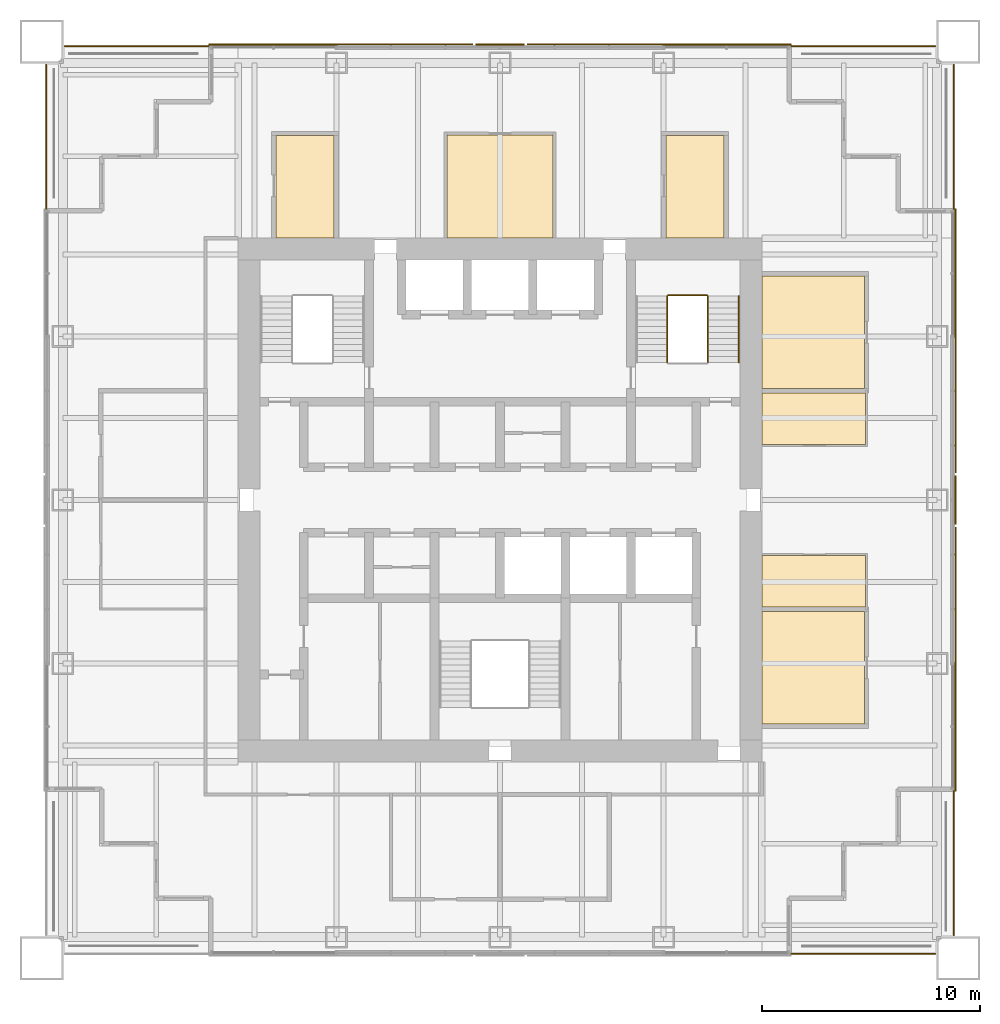
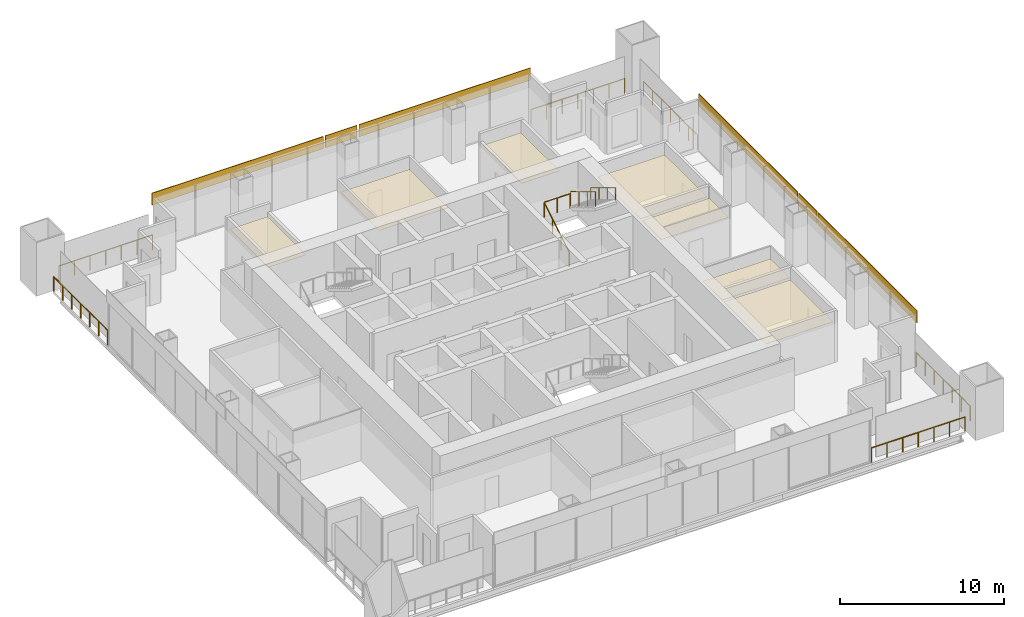
# One storey, part 14 of 14: 13 coverings, 10 railings.
"""IFC4 building model written with IfcOpenShell, lengths in metres."""

from ifc_helpers import new_model, si_unit, direction, frame, origin, origin_2d, place, context, subcontext, project, spatial, polyline, rectangle, circle, outline, extrude, material, layer, layer_set, type_object, element, save


model = new_model("IFC4")

# Units and contexts
model_context = context("Model", 3, precision=1e-05, world=origin(), true_north=direction((0.0, 1.0)))
body_context = subcontext(model_context, "Body", "Model", "MODEL_VIEW")
ifc_project = project(units=[si_unit("LENGTHUNIT", "METRE"), si_unit("AREAUNIT", "SQUARE_METRE"), si_unit("VOLUMEUNIT", "CUBIC_METRE"), si_unit("PLANEANGLEUNIT", "RADIAN"), si_unit("MASSUNIT", "GRAM", prefix="KILO")], contexts=[model_context])

# Site, building, storey
site_placement = place(None, origin())
site = spatial("IfcSite", under=ifc_project, at=site_placement, CompositionType="ELEMENT")
building_placement = place(site_placement, origin())
building = spatial("IfcBuilding", under=site, at=building_placement, Name="Tarangal Relay Tower", CompositionType="ELEMENT")
storey_placement = place(building_placement, frame((0.0, 0.0, 311.89990234375)))
storey = spatial("IfcBuildingStorey", under=building, at=storey_placement, Name="L69", CompositionType="ELEMENT", Elevation=311.89990234375)

# Coverings
ifc_material_1 = material(Name="Black anodised aluminium cladding", Category="aluminium")
ifc_layer_1 = layer(ifc_material_1, 0.050048828125)
ifc_layer_set_1 = layer_set([ifc_layer_1], Name="Black metal spandrel band")
covering_type_1 = type_object("IfcCoveringType", Name="Black metal spandrel band", PredefinedType="CLADDING", material=ifc_layer_set_1)
covering_1_placement = place(storey_placement, frame((-7.30419921875, 20.875, 3.250244140625), z_axis=(0.0, 0.0, 1.0), x_axis=(1.0, 0.0, 0.0)))
element("IfcCovering", 1, at=covering_1_placement, inside=storey, type_object=covering_type_1, Name="Spandrel band SB1 N L69", PredefinedType="CLADDING", context=body_context, shape_type="SweptSolid", body=[
    extrude(rectangle(XDim=12.091796875, YDim=0.050048828125, at=origin_2d()), origin(), (0.0, 0.0, 1.0), 0.89990234375),
])
covering_2_placement = place(storey_placement, frame((0.0, 20.875, 3.250244140625), z_axis=(0.0, 0.0, 1.0), x_axis=(1.0, 0.0, 0.0)))
element("IfcCovering", 2, at=covering_2_placement, inside=storey, type_object=covering_type_1, Name="Spandrel band SB1 N L69", PredefinedType="CLADDING", context=body_context, shape_type="SweptSolid", body=[
    extrude(rectangle(XDim=2.236328125, YDim=0.050048828125, at=origin_2d()), origin(), (0.0, 0.0, 1.0), 0.89990234375),
])
for number, where, z_axis, x_axis, name in (
    (3, (7.30419921875, 20.875, 3.250244140625), (0.0, 0.0, 1.0), (1.0, 0.0, 0.0), "Spandrel band SB1 N L69"),
    (4, (20.875, 7.30419921875, 3.250244140625), (0.0, 0.0, 1.0), (0.0, -1.0, 0.0), "Spandrel band SB1 E L69"),
):
    element("IfcCovering", number, at=place(storey_placement, frame(where, z_axis=z_axis, x_axis=x_axis)), inside=storey, type_object=covering_type_1, Name=name, PredefinedType="CLADDING", context=body_context, shape_type="SweptSolid", body=[
        extrude(rectangle(XDim=12.091796875, YDim=0.050048828125, at=origin_2d()), origin(), (0.0, 0.0, 1.0), 0.89990234375),
    ])
covering_3_placement = place(storey_placement, frame((20.875, 0.0, 3.250244140625), z_axis=(0.0, 0.0, 1.0), x_axis=(0.0, -1.0, 0.0)))
element("IfcCovering", 5, at=covering_3_placement, inside=storey, type_object=covering_type_1, Name="Spandrel band SB1 E L69", PredefinedType="CLADDING", context=body_context, shape_type="SweptSolid", body=[
    extrude(rectangle(XDim=2.236328125, YDim=0.050048828125, at=origin_2d()), origin(), (0.0, 0.0, 1.0), 0.89990234375),
])
covering_4_placement = place(storey_placement, frame((20.875, -7.30419921875, 3.250244140625), z_axis=(0.0, 0.0, 1.0), x_axis=(0.0, -1.0, 0.0)))
element("IfcCovering", 6, at=covering_4_placement, inside=storey, type_object=covering_type_1, Name="Spandrel band SB1 E L69", PredefinedType="CLADDING", context=body_context, shape_type="SweptSolid", body=[
    extrude(rectangle(XDim=12.091796875, YDim=0.050048828125, at=origin_2d()), origin(), (0.0, 0.0, 1.0), 0.89990234375),
])

# Railings
ifc_material_2 = material(Name="Steel guard, black finish", Category="steel")
railing_type_1 = type_object("IfcRailingType", Name="Stair guard 1100", PredefinedType="GUARDRAIL", material=ifc_material_2)
railing_1_placement = place(storey_placement, frame((7.669921875, 6.300048828125, 0.166748046875)))
element("IfcRailing", 7, at=railing_1_placement, inside=storey, type_object=railing_type_1, Name="Stair ST-B guard GR1 L69 flight 1", PredefinedType="GUARDRAIL", context=body_context, shape_type="SweptSolid", body=[
    extrude(circle(Radius=0.02392578125, at=origin_2d()), frame((0.0, 0.0, 1.076171875), z_axis=(0.0, 0.85685617095, 0.515555527858), x_axis=(-1.0, 0.0, 0.0)), (0.0, 0.0, 1.0), 3.555908203125),
    extrude(circle(Radius=0.02099609375, at=origin_2d()), origin(), (0.0, 0.0, 1.0), 1.052001953125),
    extrude(circle(Radius=0.02099609375, at=origin_2d()), frame((0.0, 1.015625, 0.611083984375)), (0.0, 0.0, 1.0), 1.052001953125),
    extrude(circle(Radius=0.02099609375, at=origin_2d()), frame((0.0, 2.03125, 1.22216796875)), (0.0, 0.0, 1.0), 1.052001953125),
    extrude(circle(Radius=0.02099609375, at=origin_2d()), frame((0.0, 3.046875, 1.833251953125)), (0.0, 0.0, 1.0), 1.052001953125),
])
railing_2_placement = place(storey_placement, frame((9.530029296875, 9.346923828125, 2.166748046875)))
element("IfcRailing", 8, at=railing_2_placement, inside=storey, type_object=railing_type_1, Name="Stair ST-B guard GR1 L69 flight 2", PredefinedType="GUARDRAIL", context=body_context, shape_type="SweptSolid", body=[
    extrude(circle(Radius=0.02392578125, at=origin_2d()), frame((0.0, 0.0, 1.076171875), z_axis=(0.0, -0.85685617095, 0.515555527858), x_axis=(1.0, 0.0, 0.0)), (0.0, 0.0, 1.0), 3.555908203125),
    extrude(circle(Radius=0.02099609375, at=origin_2d()), origin(), (0.0, 0.0, 1.0), 1.052001953125),
    extrude(circle(Radius=0.02099609375, at=origin_2d()), frame((0.0, -1.015625, 0.611083984375)), (0.0, 0.0, 1.0), 1.052001953125),
    extrude(circle(Radius=0.02099609375, at=origin_2d()), frame((0.0, -2.03125, 1.22216796875)), (0.0, 0.0, 1.0), 1.052001953125),
    extrude(circle(Radius=0.02099609375, at=origin_2d()), frame((0.0, -3.046875, 1.833251953125)), (0.0, 0.0, 1.0), 1.052001953125),
])
railing_3_placement = place(storey_placement, frame((7.699951171875, 9.376953125, 2.0)))
element("IfcRailing", 9, at=railing_3_placement, inside=storey, type_object=railing_type_1, Name="Stair ST-B landing guard GR1 L69", PredefinedType="GUARDRAIL", context=body_context, shape_type="SweptSolid", body=[
    extrude(circle(Radius=0.02392578125, at=origin_2d()), frame((0.0, 0.0, 1.076171875), z_axis=(1.0, 0.0, 0.0), x_axis=(0.0, 1.0, 0.0)), (0.0, 0.0, 1.0), 1.800048828125),
    extrude(circle(Radius=0.02099609375, at=origin_2d()), origin(), (0.0, 0.0, 1.0), 1.052001953125),
    extrude(circle(Radius=0.02099609375, at=origin_2d()), frame((0.89990234375, 0.0, 0.0)), (0.0, 0.0, 1.0), 1.052001953125),
    extrude(circle(Radius=0.02099609375, at=origin_2d()), frame((1.800048828125, 0.0, 0.0)), (0.0, 0.0, 1.0), 1.052001953125),
])
ifc_material_3 = material(Name="Steel handrail, black finish", Category="steel")
railing_type_2 = type_object("IfcRailingType", Name="Stair handrail 900", PredefinedType="HANDRAIL", material=ifc_material_3)
railing_4_placement = place(storey_placement, frame((10.93994140625, 9.346923828125, 2.166748046875)))
element("IfcRailing", 10, at=railing_4_placement, inside=storey, type_object=railing_type_2, Name="Stair ST-B handrail HR1 L69 flight 2", PredefinedType="HANDRAIL", context=body_context, shape_type="SweptSolid", body=[
    extrude(circle(Radius=0.02392578125, at=origin_2d()), frame((0.0, 0.0, 0.8759765625), z_axis=(0.0, -0.85685617095, 0.515555527858), x_axis=(1.0, 0.0, 0.0)), (0.0, 0.0, 1.0), 3.555908203125),
    extrude(circle(Radius=0.02099609375, at=origin_2d()), origin(), (0.0, 0.0, 1.0), 0.851806640625),
    extrude(circle(Radius=0.02099609375, at=origin_2d()), frame((0.0, -1.015625, 0.611083984375)), (0.0, 0.0, 1.0), 0.851806640625),
    extrude(circle(Radius=0.02099609375, at=origin_2d()), frame((0.0, -2.03125, 1.22216796875)), (0.0, 0.0, 1.0), 0.851806640625),
    extrude(circle(Radius=0.02099609375, at=origin_2d()), frame((0.0, -3.046875, 1.833251953125)), (0.0, 0.0, 1.0), 0.851806640625),
])

# Coverings
ifc_material_4 = material(Name="Mineral fibre ceiling tiles", Category="gypsum")
ifc_layer_2 = layer(ifc_material_4, 0.02001953125)
ifc_layer_set_2 = layer_set([ifc_layer_2], Name="Suspended ceiling")
covering_type_2 = type_object("IfcCoveringType", Name="Suspended ceiling", PredefinedType="CEILING", material=ifc_layer_set_2)
covering_5_placement = place(storey_placement, frame((0.0, 0.0, 2.900146484375)))
element("IfcCovering", 11, at=covering_5_placement, inside=storey, type_object=covering_type_2, Name="Suspended ceiling CL1 L69-02", PredefinedType="CEILING", context=body_context, shape_type="SweptSolid", body=[
    extrude(outline(polyline([(-7.60009765625, 12.0), (-7.60009765625, 16.699951171875), (-10.27490234375, 16.699951171875), (-10.27490234375, 12.0), (-7.60009765625, 12.0)])), origin(), (0.0, 0.0, 1.0), 0.02001953125),
])
covering_6_placement = place(storey_placement, frame((0.0, 0.0, 2.900146484375)))
element("IfcCovering", 12, at=covering_6_placement, inside=storey, type_object=covering_type_2, Name="Suspended ceiling CL1 L69-03", PredefinedType="CEILING", context=body_context, shape_type="SweptSolid", body=[
    extrude(outline(polyline([(2.425048828125, 12.0), (2.425048828125, 16.72509765625), (-2.425048828125, 16.72509765625), (-2.425048828125, 12.0), (2.425048828125, 12.0)])), origin(), (0.0, 0.0, 1.0), 0.02001953125),
])
covering_7_placement = place(storey_placement, frame((0.0, 0.0, 2.900146484375)))
element("IfcCovering", 13, at=covering_7_placement, inside=storey, type_object=covering_type_2, Name="Suspended ceiling CL1 L69-04", PredefinedType="CEILING", context=body_context, shape_type="SweptSolid", body=[
    extrude(outline(polyline([(10.27490234375, 12.0), (10.27490234375, 16.699951171875), (7.60009765625, 16.699951171875), (7.60009765625, 12.0), (10.27490234375, 12.0)])), origin(), (0.0, 0.0, 1.0), 0.02001953125),
])
covering_8_placement = place(storey_placement, frame((0.0, 0.0, 2.900146484375)))
element("IfcCovering", 14, at=covering_8_placement, inside=storey, type_object=covering_type_2, Name="Suspended ceiling CL1 L69-05", PredefinedType="CEILING", context=body_context, shape_type="SweptSolid", body=[
    extrude(outline(polyline([(12.0, 5.10009765625), (16.699951171875, 5.10009765625), (16.699951171875, 10.27490234375), (12.0, 10.27490234375), (12.0, 5.10009765625)])), origin(), (0.0, 0.0, 1.0), 0.02001953125),
])
covering_9_placement = place(storey_placement, frame((0.0, 0.0, 2.900146484375)))
element("IfcCovering", 15, at=covering_9_placement, inside=storey, type_object=covering_type_2, Name="Suspended ceiling CL1 L69-06", PredefinedType="CEILING", context=body_context, shape_type="SweptSolid", body=[
    extrude(outline(polyline([(12.0, 2.550048828125), (16.75, 2.550048828125), (16.75, 4.89990234375), (12.0, 4.89990234375), (12.0, 2.550048828125)])), origin(), (0.0, 0.0, 1.0), 0.02001953125),
])
covering_10_placement = place(storey_placement, frame((0.0, 0.0, 2.900146484375)))
element("IfcCovering", 16, at=covering_10_placement, inside=storey, type_object=covering_type_2, Name="Suspended ceiling CL1 L69-07", PredefinedType="CEILING", context=body_context, shape_type="SweptSolid", body=[
    extrude(outline(polyline([(12.0, -4.89990234375), (16.75, -4.89990234375), (16.75, -2.550048828125), (12.0, -2.550048828125), (12.0, -4.89990234375)])), origin(), (0.0, 0.0, 1.0), 0.02001953125),
])
covering_11_placement = place(storey_placement, frame((0.0, 0.0, 2.900146484375)))
element("IfcCovering", 17, at=covering_11_placement, inside=storey, type_object=covering_type_2, Name="Suspended ceiling CL1 L69-08", PredefinedType="CEILING", context=body_context, shape_type="SweptSolid", body=[
    extrude(outline(polyline([(12.0, -10.27490234375), (16.699951171875, -10.27490234375), (16.699951171875, -5.10009765625), (12.0, -5.10009765625), (12.0, -10.27490234375)])), origin(), (0.0, 0.0, 1.0), 0.02001953125),
])

# Railings
ifc_material_5 = material(Name="Black steel guard with glass infill", Category="steel")
railing_type_3 = type_object("IfcRailingType", Name="Terrace guard 1100", PredefinedType="GUARDRAIL", material=ifc_material_5)
railing_5_placement = place(storey_placement, frame((13.35009765625, 20.800048828125, 0.0)))
element("IfcRailing", 18, at=railing_5_placement, inside=storey, type_object=railing_type_3, Name="Terrace guard GR2 NE L69", PredefinedType="GUARDRAIL", context=body_context, shape_type="SweptSolid", body=[
    extrude(circle(Radius=0.02392578125, at=origin_2d()), frame((0.0, 0.0, 1.076171875), z_axis=(1.0, 0.0, 0.0), x_axis=(0.0, 1.0, 0.0)), (0.0, 0.0, 1.0), 6.599853515625),
    extrude(circle(Radius=0.02099609375, at=origin_2d()), origin(), (0.0, 0.0, 1.0), 1.052001953125),
    extrude(circle(Radius=0.02099609375, at=origin_2d()), frame((1.10009765625, 0.0, 0.0)), (0.0, 0.0, 1.0), 1.052001953125),
    extrude(circle(Radius=0.02099609375, at=origin_2d()), frame((2.199951171875, 0.0, 0.0)), (0.0, 0.0, 1.0), 1.052001953125),
    extrude(circle(Radius=0.02099609375, at=origin_2d()), frame((3.2998046875, 0.0, 0.0)), (0.0, 0.0, 1.0), 1.052001953125),
    extrude(circle(Radius=0.02099609375, at=origin_2d()), frame((4.39990234375, 0.0, 0.0)), (0.0, 0.0, 1.0), 1.052001953125),
    extrude(circle(Radius=0.02099609375, at=origin_2d()), frame((5.5, 0.0, 0.0)), (0.0, 0.0, 1.0), 1.052001953125),
    extrude(circle(Radius=0.02099609375, at=origin_2d()), frame((6.599853515625, 0.0, 0.0)), (0.0, 0.0, 1.0), 1.052001953125),
])
for number, where, name in (
    (19, (20.800048828125, 19.949951171875, 0.0), "Terrace guard GR2 NE L69"),
    (20, (20.800048828125, -13.35009765625, 0.0), "Terrace guard GR2 SE L69"),
):
    element("IfcRailing", number, at=place(storey_placement, frame(where)), inside=storey, type_object=railing_type_3, Name=name, PredefinedType="GUARDRAIL", context=body_context, shape_type="SweptSolid", body=[
        extrude(circle(Radius=0.02392578125, at=origin_2d()), frame((0.0, 0.0, 1.076171875), z_axis=(0.0, -1.0, 0.0), x_axis=(1.0, 0.0, 0.0)), (0.0, 0.0, 1.0), 6.599853515625),
        extrude(circle(Radius=0.02099609375, at=origin_2d()), origin(), (0.0, 0.0, 1.0), 1.052001953125),
        extrude(circle(Radius=0.02099609375, at=origin_2d()), frame((0.0, -1.10009765625, 0.0)), (0.0, 0.0, 1.0), 1.052001953125),
        extrude(circle(Radius=0.02099609375, at=origin_2d()), frame((0.0, -2.199951171875, 0.0)), (0.0, 0.0, 1.0), 1.052001953125),
        extrude(circle(Radius=0.02099609375, at=origin_2d()), frame((0.0, -3.2998046875, 0.0)), (0.0, 0.0, 1.0), 1.052001953125),
        extrude(circle(Radius=0.02099609375, at=origin_2d()), frame((0.0, -4.39990234375, 0.0)), (0.0, 0.0, 1.0), 1.052001953125),
        extrude(circle(Radius=0.02099609375, at=origin_2d()), frame((0.0, -5.5, 0.0)), (0.0, 0.0, 1.0), 1.052001953125),
        extrude(circle(Radius=0.02099609375, at=origin_2d()), frame((0.0, -6.599853515625, 0.0)), (0.0, 0.0, 1.0), 1.052001953125),
    ])
railing_6_placement = place(storey_placement, frame((19.949951171875, -20.800048828125, 0.0)))
element("IfcRailing", 21, at=railing_6_placement, inside=storey, type_object=railing_type_3, Name="Terrace guard GR2 SE L69", PredefinedType="GUARDRAIL", context=body_context, shape_type="SweptSolid", body=[
    extrude(circle(Radius=0.02392578125, at=origin_2d()), frame((0.0, 0.0, 1.076171875), z_axis=(-1.0, 0.0, 0.0), x_axis=(0.0, -1.0, 0.0)), (0.0, 0.0, 1.0), 6.599853515625),
    extrude(circle(Radius=0.02099609375, at=origin_2d()), origin(), (0.0, 0.0, 1.0), 1.052001953125),
    extrude(circle(Radius=0.02099609375, at=origin_2d()), frame((-1.10009765625, 0.0, 0.0)), (0.0, 0.0, 1.0), 1.052001953125),
    extrude(circle(Radius=0.02099609375, at=origin_2d()), frame((-2.199951171875, 0.0, 0.0)), (0.0, 0.0, 1.0), 1.052001953125),
    extrude(circle(Radius=0.02099609375, at=origin_2d()), frame((-3.2998046875, 0.0, 0.0)), (0.0, 0.0, 1.0), 1.052001953125),
    extrude(circle(Radius=0.02099609375, at=origin_2d()), frame((-4.39990234375, 0.0, 0.0)), (0.0, 0.0, 1.0), 1.052001953125),
    extrude(circle(Radius=0.02099609375, at=origin_2d()), frame((-5.5, 0.0, 0.0)), (0.0, 0.0, 1.0), 1.052001953125),
    extrude(circle(Radius=0.02099609375, at=origin_2d()), frame((-6.599853515625, 0.0, 0.0)), (0.0, 0.0, 1.0), 1.052001953125),
])
railing_7_placement = place(storey_placement, frame((-20.800048828125, 13.35009765625, 0.0)))
element("IfcRailing", 22, at=railing_7_placement, inside=storey, type_object=railing_type_3, Name="Terrace guard GR2 NW L69", PredefinedType="GUARDRAIL", context=body_context, shape_type="SweptSolid", body=[
    extrude(circle(Radius=0.02392578125, at=origin_2d()), frame((0.0, 0.0, 1.076171875), z_axis=(0.0, 1.0, 0.0), x_axis=(-1.0, 0.0, 0.0)), (0.0, 0.0, 1.0), 6.599853515625),
    extrude(circle(Radius=0.02099609375, at=origin_2d()), origin(), (0.0, 0.0, 1.0), 1.052001953125),
    extrude(circle(Radius=0.02099609375, at=origin_2d()), frame((0.0, 1.10009765625, 0.0)), (0.0, 0.0, 1.0), 1.052001953125),
    extrude(circle(Radius=0.02099609375, at=origin_2d()), frame((0.0, 2.199951171875, 0.0)), (0.0, 0.0, 1.0), 1.052001953125),
    extrude(circle(Radius=0.02099609375, at=origin_2d()), frame((0.0, 3.2998046875, 0.0)), (0.0, 0.0, 1.0), 1.052001953125),
    extrude(circle(Radius=0.02099609375, at=origin_2d()), frame((0.0, 4.39990234375, 0.0)), (0.0, 0.0, 1.0), 1.052001953125),
    extrude(circle(Radius=0.02099609375, at=origin_2d()), frame((0.0, 5.5, 0.0)), (0.0, 0.0, 1.0), 1.052001953125),
    extrude(circle(Radius=0.02099609375, at=origin_2d()), frame((0.0, 6.599853515625, 0.0)), (0.0, 0.0, 1.0), 1.052001953125),
])
railing_8_placement = place(storey_placement, frame((-19.949951171875, 20.800048828125, 0.0)))
element("IfcRailing", 23, at=railing_8_placement, inside=storey, type_object=railing_type_3, Name="Terrace guard GR2 NW L69", PredefinedType="GUARDRAIL", context=body_context, shape_type="SweptSolid", body=[
    extrude(circle(Radius=0.02392578125, at=origin_2d()), frame((0.0, 0.0, 1.076171875), z_axis=(1.0, 0.0, 0.0), x_axis=(0.0, 1.0, 0.0)), (0.0, 0.0, 1.0), 6.599853515625),
    extrude(circle(Radius=0.02099609375, at=origin_2d()), origin(), (0.0, 0.0, 1.0), 1.052001953125),
    extrude(circle(Radius=0.02099609375, at=origin_2d()), frame((1.10009765625, 0.0, 0.0)), (0.0, 0.0, 1.0), 1.052001953125),
    extrude(circle(Radius=0.02099609375, at=origin_2d()), frame((2.199951171875, 0.0, 0.0)), (0.0, 0.0, 1.0), 1.052001953125),
    extrude(circle(Radius=0.02099609375, at=origin_2d()), frame((3.2998046875, 0.0, 0.0)), (0.0, 0.0, 1.0), 1.052001953125),
    extrude(circle(Radius=0.02099609375, at=origin_2d()), frame((4.39990234375, 0.0, 0.0)), (0.0, 0.0, 1.0), 1.052001953125),
    extrude(circle(Radius=0.02099609375, at=origin_2d()), frame((5.5, 0.0, 0.0)), (0.0, 0.0, 1.0), 1.052001953125),
    extrude(circle(Radius=0.02099609375, at=origin_2d()), frame((6.599853515625, 0.0, 0.0)), (0.0, 0.0, 1.0), 1.052001953125),
])

save(model, "model.ifc")
